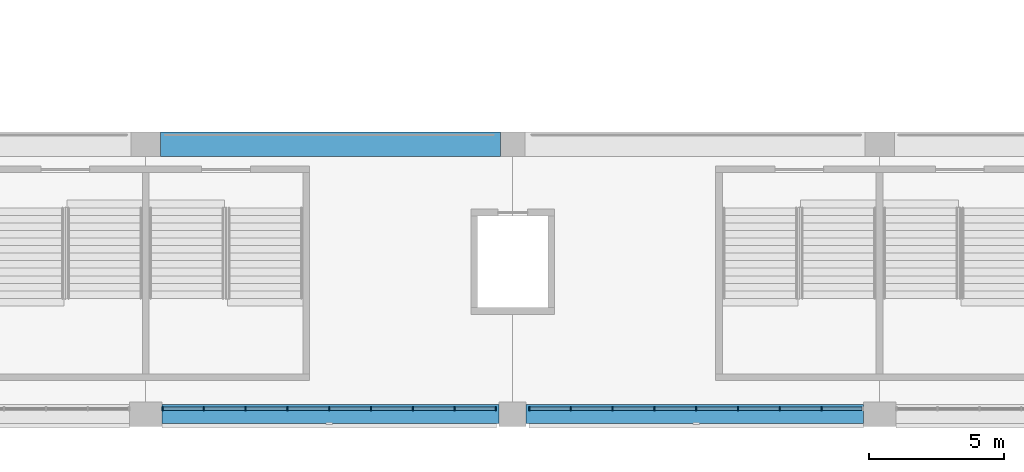
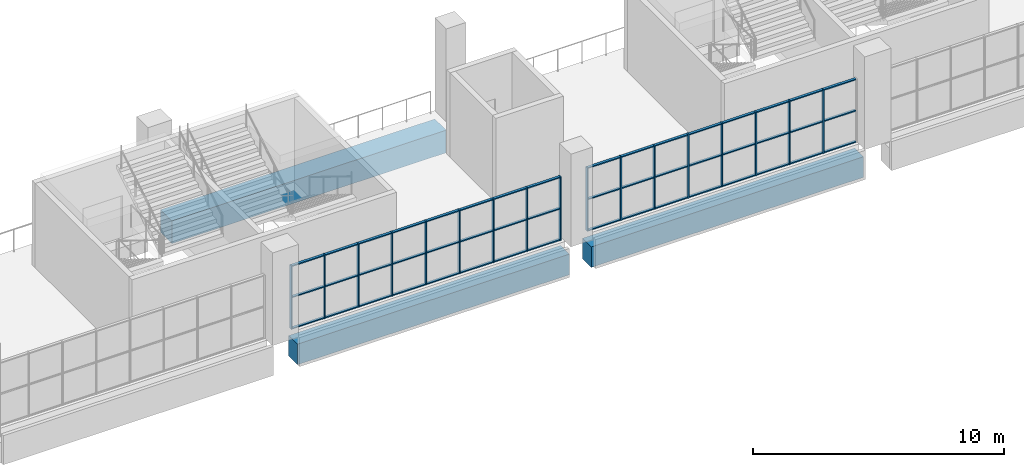
# One storey, part 9 of 177: 65 members, 3 beams, 2 elements without a shape of their own.
"""IFC4 building model written with IfcOpenShell, lengths in metres."""

from ifc_helpers import new_model, si_unit, direction, frame, origin, origin_2d, place, context, subcontext, project, spatial, rectangle, extrude, material, material_profile, profile_set, type_object, element, aggregate, save


model = new_model("IFC4")

# Units and contexts
model_context = context("Model", 3, precision=1e-05, world=origin(), true_north=direction((0.0, 1.0)))
body_context = subcontext(model_context, "Body", "Model", "MODEL_VIEW")
ifc_project = project(units=[si_unit("LENGTHUNIT", "METRE"), si_unit("AREAUNIT", "SQUARE_METRE"), si_unit("VOLUMEUNIT", "CUBIC_METRE"), si_unit("PLANEANGLEUNIT", "RADIAN"), si_unit("MASSUNIT", "GRAM", prefix="KILO")], contexts=[model_context])

# Site, building, storey
site_placement = place(None, origin())
site = spatial("IfcSite", under=ifc_project, at=site_placement, CompositionType="ELEMENT")
building_placement = place(site_placement, origin())
building = spatial("IfcBuilding", under=site, at=building_placement, Name="Ogive Plaza Stadium", CompositionType="ELEMENT")
storey_placement = place(building_placement, frame((0.0, 0.0, 18.0)))
storey = spatial("IfcBuildingStorey", under=building, at=storey_placement, Name="L04", CompositionType="ELEMENT", Elevation=18.0)

# Curtain wall, members
ifc_material_1 = material(Name="Bronze-anodised aluminium with laminated glass", Category="aluminium")
curtain_wall_type = type_object("IfcCurtainWallType", Name="Lancet curtain wall", PredefinedType="NOTDEFINED", material=ifc_material_1)
curtain_wall_1_placement = place(storey_placement, origin())
curtain_wall_1 = element("IfcCurtainWall", 1, at=curtain_wall_1_placement, inside=storey, type_object=curtain_wall_type, Name="CURTAIN WALL B14 L04", PredefinedType="NOTDEFINED")
ifc_material_2 = material(Name="Bronze-anodised aluminium", Category="aluminium")
ifc_material_profile_1 = material_profile(ifc_material_2, rectangle(XDim=0.14990234375, YDim=0.050048828125, at=origin_2d()), Name="AL 150x50")
ifc_profile_set_1 = profile_set([ifc_material_profile_1], Name="Bronze-anodised aluminium")
member_type_1 = type_object("IfcMemberType", Name="Curtain wall mullion 50x150", PredefinedType="MULLION", material=ifc_profile_set_1)
member_1_placement = place(storey_placement, frame((4.64990234375, -102.300048828125, 0.0), z_axis=(0.0, 0.0, 1.0), x_axis=(0.0, -1.0, 0.0)))
member_1 = element("IfcMember", 2, at=member_1_placement, type_object=member_type_1, Name="CW-B14-L04 mullion 2", PredefinedType="MULLION", context=body_context, shape_type="SweptSolid", body=[
    extrude(rectangle(XDim=0.14990234375, YDim=0.050048828125, at=origin_2d()), origin(), (0.0, 0.0, 1.0), 3.090087890625),
])
member_2_placement = place(storey_placement, frame((3.10009765625, -102.300048828125, 0.0), z_axis=(0.0, 0.0, 1.0), x_axis=(0.0, -1.0, 0.0)))
member_2 = element("IfcMember", 3, at=member_2_placement, type_object=member_type_1, Name="CW-B14-L04 mullion 3", PredefinedType="MULLION", context=body_context, shape_type="SweptSolid", body=[
    extrude(rectangle(XDim=0.14990234375, YDim=0.050048828125, at=origin_2d()), origin(), (0.0, 0.0, 1.0), 3.090087890625),
])
member_3_placement = place(storey_placement, frame((1.550048828125, -102.300048828125, 0.0), z_axis=(0.0, 0.0, 1.0), x_axis=(0.0, -1.0, 0.0)))
member_3 = element("IfcMember", 4, at=member_3_placement, type_object=member_type_1, Name="CW-B14-L04 mullion 4", PredefinedType="MULLION", context=body_context, shape_type="SweptSolid", body=[
    extrude(rectangle(XDim=0.14990234375, YDim=0.050048828125, at=origin_2d()), origin(), (0.0, 0.0, 1.0), 3.090087890625),
])
member_4_placement = place(storey_placement, frame((0.0, -102.300048828125, 0.0), z_axis=(0.0, 0.0, 1.0), x_axis=(0.0, -1.0, 0.0)))
member_4 = element("IfcMember", 5, at=member_4_placement, type_object=member_type_1, Name="CW-B14-L04 mullion 5", PredefinedType="MULLION", context=body_context, shape_type="SweptSolid", body=[
    extrude(rectangle(XDim=0.14990234375, YDim=0.050048828125, at=origin_2d()), origin(), (0.0, 0.0, 1.0), 3.090087890625),
])
member_5_placement = place(storey_placement, frame((-1.550048828125, -102.300048828125, 0.0), z_axis=(0.0, 0.0, 1.0), x_axis=(0.0, -1.0, 0.0)))
member_5 = element("IfcMember", 6, at=member_5_placement, type_object=member_type_1, Name="CW-B14-L04 mullion 6", PredefinedType="MULLION", context=body_context, shape_type="SweptSolid", body=[
    extrude(rectangle(XDim=0.14990234375, YDim=0.050048828125, at=origin_2d()), origin(), (0.0, 0.0, 1.0), 3.090087890625),
])
member_6_placement = place(storey_placement, frame((-3.10009765625, -102.300048828125, 0.0), z_axis=(0.0, 0.0, 1.0), x_axis=(0.0, -1.0, 0.0)))
member_6 = element("IfcMember", 7, at=member_6_placement, type_object=member_type_1, Name="CW-B14-L04 mullion 7", PredefinedType="MULLION", context=body_context, shape_type="SweptSolid", body=[
    extrude(rectangle(XDim=0.14990234375, YDim=0.050048828125, at=origin_2d()), origin(), (0.0, 0.0, 1.0), 3.090087890625),
])
member_7_placement = place(storey_placement, frame((-4.64990234375, -102.300048828125, 0.0), z_axis=(0.0, 0.0, 1.0), x_axis=(0.0, -1.0, 0.0)))
member_7 = element("IfcMember", 8, at=member_7_placement, type_object=member_type_1, Name="CW-B14-L04 mullion 8", PredefinedType="MULLION", context=body_context, shape_type="SweptSolid", body=[
    extrude(rectangle(XDim=0.14990234375, YDim=0.050048828125, at=origin_2d()), origin(), (0.0, 0.0, 1.0), 3.090087890625),
])
member_8_placement = place(storey_placement, frame((-6.175048828125, -102.300048828125, 0.0), z_axis=(0.0, 0.0, 1.0), x_axis=(0.0, -1.0, 0.0)))
member_8 = element("IfcMember", 9, at=member_8_placement, type_object=member_type_1, Name="CW-B14-L04 mullion 9", PredefinedType="MULLION", context=body_context, shape_type="SweptSolid", body=[
    extrude(rectangle(XDim=0.14990234375, YDim=0.050048828125, at=origin_2d()), origin(), (0.0, 0.0, 1.0), 3.090087890625),
])

curtain_wall_2_placement = place(storey_placement, origin())
curtain_wall_2 = element("IfcCurtainWall", 10, at=curtain_wall_2_placement, inside=storey, type_object=curtain_wall_type, Name="CURTAIN WALL B15 L04", PredefinedType="NOTDEFINED")
member_9_placement = place(storey_placement, frame((-7.425048828125, -102.300048828125, 0.0), z_axis=(0.0, 0.0, 1.0), x_axis=(0.0, -1.0, 0.0)))
member_9 = element("IfcMember", 11, at=member_9_placement, type_object=member_type_1, Name="CW-B15-L04 mullion 1", PredefinedType="MULLION", context=body_context, shape_type="SweptSolid", body=[
    extrude(rectangle(XDim=0.14990234375, YDim=0.050048828125, at=origin_2d()), origin(), (0.0, 0.0, 1.0), 3.090087890625),
])
member_10_placement = place(storey_placement, frame((-8.949951171875, -102.300048828125, 0.0), z_axis=(0.0, 0.0, 1.0), x_axis=(0.0, -1.0, 0.0)))
member_10 = element("IfcMember", 12, at=member_10_placement, type_object=member_type_1, Name="CW-B15-L04 mullion 2", PredefinedType="MULLION", context=body_context, shape_type="SweptSolid", body=[
    extrude(rectangle(XDim=0.14990234375, YDim=0.050048828125, at=origin_2d()), origin(), (0.0, 0.0, 1.0), 3.090087890625),
])
member_11_placement = place(storey_placement, frame((-10.5, -102.300048828125, 0.0), z_axis=(0.0, 0.0, 1.0), x_axis=(0.0, -1.0, 0.0)))
member_11 = element("IfcMember", 13, at=member_11_placement, type_object=member_type_1, Name="CW-B15-L04 mullion 3", PredefinedType="MULLION", context=body_context, shape_type="SweptSolid", body=[
    extrude(rectangle(XDim=0.14990234375, YDim=0.050048828125, at=origin_2d()), origin(), (0.0, 0.0, 1.0), 3.090087890625),
])
member_12_placement = place(storey_placement, frame((-12.050048828125, -102.300048828125, 0.0), z_axis=(0.0, 0.0, 1.0), x_axis=(0.0, -1.0, 0.0)))
member_12 = element("IfcMember", 14, at=member_12_placement, type_object=member_type_1, Name="CW-B15-L04 mullion 4", PredefinedType="MULLION", context=body_context, shape_type="SweptSolid", body=[
    extrude(rectangle(XDim=0.14990234375, YDim=0.050048828125, at=origin_2d()), origin(), (0.0, 0.0, 1.0), 3.090087890625),
])
member_13_placement = place(storey_placement, frame((-13.60009765625, -102.300048828125, 0.0), z_axis=(0.0, 0.0, 1.0), x_axis=(0.0, -1.0, 0.0)))
member_13 = element("IfcMember", 15, at=member_13_placement, type_object=member_type_1, Name="CW-B15-L04 mullion 5", PredefinedType="MULLION", context=body_context, shape_type="SweptSolid", body=[
    extrude(rectangle(XDim=0.14990234375, YDim=0.050048828125, at=origin_2d()), origin(), (0.0, 0.0, 1.0), 3.090087890625),
])
member_14_placement = place(storey_placement, frame((-15.14990234375, -102.300048828125, 0.0), z_axis=(0.0, 0.0, 1.0), x_axis=(0.0, -1.0, 0.0)))
member_14 = element("IfcMember", 16, at=member_14_placement, type_object=member_type_1, Name="CW-B15-L04 mullion 6", PredefinedType="MULLION", context=body_context, shape_type="SweptSolid", body=[
    extrude(rectangle(XDim=0.14990234375, YDim=0.050048828125, at=origin_2d()), origin(), (0.0, 0.0, 1.0), 3.090087890625),
])
member_15_placement = place(storey_placement, frame((-16.699951171875, -102.300048828125, 0.0), z_axis=(0.0, 0.0, 1.0), x_axis=(0.0, -1.0, 0.0)))
member_15 = element("IfcMember", 17, at=member_15_placement, type_object=member_type_1, Name="CW-B15-L04 mullion 7", PredefinedType="MULLION", context=body_context, shape_type="SweptSolid", body=[
    extrude(rectangle(XDim=0.14990234375, YDim=0.050048828125, at=origin_2d()), origin(), (0.0, 0.0, 1.0), 3.090087890625),
])
member_16_placement = place(storey_placement, frame((-18.25, -102.300048828125, 0.0), z_axis=(0.0, 0.0, 1.0), x_axis=(0.0, -1.0, 0.0)))
member_16 = element("IfcMember", 18, at=member_16_placement, type_object=member_type_1, Name="CW-B15-L04 mullion 8", PredefinedType="MULLION", context=body_context, shape_type="SweptSolid", body=[
    extrude(rectangle(XDim=0.14990234375, YDim=0.050048828125, at=origin_2d()), origin(), (0.0, 0.0, 1.0), 3.090087890625),
])
member_17_placement = place(storey_placement, frame((-19.77490234375, -102.300048828125, 0.0), z_axis=(0.0, 0.0, 1.0), x_axis=(0.0, -1.0, 0.0)))
member_17 = element("IfcMember", 19, at=member_17_placement, type_object=member_type_1, Name="CW-B15-L04 mullion 9", PredefinedType="MULLION", context=body_context, shape_type="SweptSolid", body=[
    extrude(rectangle(XDim=0.14990234375, YDim=0.050048828125, at=origin_2d()), origin(), (0.0, 0.0, 1.0), 3.090087890625),
])

# Member
ifc_material_3 = material(Name="Bronze-anodised aluminium", Category="aluminium")
ifc_material_profile_2 = material_profile(ifc_material_3, rectangle(XDim=0.1201171875, YDim=0.050048828125, at=origin_2d()), Name="AL 120x50")
ifc_profile_set_2 = profile_set([ifc_material_profile_2], Name="Bronze-anodised aluminium")
member_type_2 = type_object("IfcMemberType", Name="Curtain wall transom 50x120", PredefinedType="USERDEFINED", material=ifc_profile_set_2)
member_18_placement = place(storey_placement, frame((6.14990234375, -102.300048828125, 0.02490234375), z_axis=(-1.0, 0.0, 0.0), x_axis=(0.0, -1.0, 0.0)))
member_18 = element("IfcMember", 20, at=member_18_placement, type_object=member_type_2, Name="CW-B14-L04 transom 1.1", ObjectType="TRANSOM", PredefinedType="USERDEFINED", context=body_context, shape_type="SweptSolid", body=[
    extrude(rectangle(XDim=0.1201171875, YDim=0.050048828125, at=origin_2d()), origin(), (0.0, 0.0, 1.0), 1.474853515625),
])

member_19_placement = place(storey_placement, frame((6.14990234375, -102.300048828125, 1.544921875), z_axis=(-1.0, 0.0, 0.0), x_axis=(0.0, -1.0, 0.0)))
member_19 = element("IfcMember", 21, at=member_19_placement, type_object=member_type_2, Name="CW-B14-L04 transom 1.2", ObjectType="TRANSOM", PredefinedType="USERDEFINED", context=body_context, shape_type="SweptSolid", body=[
    extrude(rectangle(XDim=0.1201171875, YDim=0.050048828125, at=origin_2d()), origin(), (0.0, 0.0, 1.0), 1.474853515625),
])

member_20_placement = place(storey_placement, frame((6.14990234375, -102.300048828125, 3.06494140625), z_axis=(-1.0, 0.0, 0.0), x_axis=(0.0, -1.0, 0.0)))
member_20 = element("IfcMember", 22, at=member_20_placement, type_object=member_type_2, Name="CW-B14-L04 transom 1.3", ObjectType="TRANSOM", PredefinedType="USERDEFINED", context=body_context, shape_type="SweptSolid", body=[
    extrude(rectangle(XDim=0.1201171875, YDim=0.050048828125, at=origin_2d()), origin(), (0.0, 0.0, 1.0), 1.474853515625),
])

member_21_placement = place(storey_placement, frame((4.625, -102.300048828125, 0.02490234375), z_axis=(-1.0, 0.0, 0.0), x_axis=(0.0, -1.0, 0.0)))
member_21 = element("IfcMember", 23, at=member_21_placement, type_object=member_type_2, Name="CW-B14-L04 transom 2.1", ObjectType="TRANSOM", PredefinedType="USERDEFINED", context=body_context, shape_type="SweptSolid", body=[
    extrude(rectangle(XDim=0.1201171875, YDim=0.050048828125, at=origin_2d()), origin(), (0.0, 0.0, 1.0), 1.5),
])

member_22_placement = place(storey_placement, frame((4.625, -102.300048828125, 1.544921875), z_axis=(-1.0, 0.0, 0.0), x_axis=(0.0, -1.0, 0.0)))
member_22 = element("IfcMember", 24, at=member_22_placement, type_object=member_type_2, Name="CW-B14-L04 transom 2.2", ObjectType="TRANSOM", PredefinedType="USERDEFINED", context=body_context, shape_type="SweptSolid", body=[
    extrude(rectangle(XDim=0.1201171875, YDim=0.050048828125, at=origin_2d()), origin(), (0.0, 0.0, 1.0), 1.5),
])

member_23_placement = place(storey_placement, frame((4.625, -102.300048828125, 3.06494140625), z_axis=(-1.0, 0.0, 0.0), x_axis=(0.0, -1.0, 0.0)))
member_23 = element("IfcMember", 25, at=member_23_placement, type_object=member_type_2, Name="CW-B14-L04 transom 2.3", ObjectType="TRANSOM", PredefinedType="USERDEFINED", context=body_context, shape_type="SweptSolid", body=[
    extrude(rectangle(XDim=0.1201171875, YDim=0.050048828125, at=origin_2d()), origin(), (0.0, 0.0, 1.0), 1.5),
])

member_24_placement = place(storey_placement, frame((3.074951171875, -102.300048828125, 0.02490234375), z_axis=(-1.0, 0.0, 0.0), x_axis=(0.0, -1.0, 0.0)))
member_24 = element("IfcMember", 26, at=member_24_placement, type_object=member_type_2, Name="CW-B14-L04 transom 3.1", ObjectType="TRANSOM", PredefinedType="USERDEFINED", context=body_context, shape_type="SweptSolid", body=[
    extrude(rectangle(XDim=0.1201171875, YDim=0.050048828125, at=origin_2d()), origin(), (0.0, 0.0, 1.0), 1.5),
])

member_25_placement = place(storey_placement, frame((3.074951171875, -102.300048828125, 1.544921875), z_axis=(-1.0, 0.0, 0.0), x_axis=(0.0, -1.0, 0.0)))
member_25 = element("IfcMember", 27, at=member_25_placement, type_object=member_type_2, Name="CW-B14-L04 transom 3.2", ObjectType="TRANSOM", PredefinedType="USERDEFINED", context=body_context, shape_type="SweptSolid", body=[
    extrude(rectangle(XDim=0.1201171875, YDim=0.050048828125, at=origin_2d()), origin(), (0.0, 0.0, 1.0), 1.5),
])

member_26_placement = place(storey_placement, frame((3.074951171875, -102.300048828125, 3.06494140625), z_axis=(-1.0, 0.0, 0.0), x_axis=(0.0, -1.0, 0.0)))
member_26 = element("IfcMember", 28, at=member_26_placement, type_object=member_type_2, Name="CW-B14-L04 transom 3.3", ObjectType="TRANSOM", PredefinedType="USERDEFINED", context=body_context, shape_type="SweptSolid", body=[
    extrude(rectangle(XDim=0.1201171875, YDim=0.050048828125, at=origin_2d()), origin(), (0.0, 0.0, 1.0), 1.5),
])

member_27_placement = place(storey_placement, frame((1.52490234375, -102.300048828125, 0.02490234375), z_axis=(-1.0, 0.0, 0.0), x_axis=(0.0, -1.0, 0.0)))
member_27 = element("IfcMember", 29, at=member_27_placement, type_object=member_type_2, Name="CW-B14-L04 transom 4.1", ObjectType="TRANSOM", PredefinedType="USERDEFINED", context=body_context, shape_type="SweptSolid", body=[
    extrude(rectangle(XDim=0.1201171875, YDim=0.050048828125, at=origin_2d()), origin(), (0.0, 0.0, 1.0), 1.5),
])

member_28_placement = place(storey_placement, frame((1.52490234375, -102.300048828125, 1.544921875), z_axis=(-1.0, 0.0, 0.0), x_axis=(0.0, -1.0, 0.0)))
member_28 = element("IfcMember", 30, at=member_28_placement, type_object=member_type_2, Name="CW-B14-L04 transom 4.2", ObjectType="TRANSOM", PredefinedType="USERDEFINED", context=body_context, shape_type="SweptSolid", body=[
    extrude(rectangle(XDim=0.1201171875, YDim=0.050048828125, at=origin_2d()), origin(), (0.0, 0.0, 1.0), 1.5),
])

member_29_placement = place(storey_placement, frame((1.52490234375, -102.300048828125, 3.06494140625), z_axis=(-1.0, 0.0, 0.0), x_axis=(0.0, -1.0, 0.0)))
member_29 = element("IfcMember", 31, at=member_29_placement, type_object=member_type_2, Name="CW-B14-L04 transom 4.3", ObjectType="TRANSOM", PredefinedType="USERDEFINED", context=body_context, shape_type="SweptSolid", body=[
    extrude(rectangle(XDim=0.1201171875, YDim=0.050048828125, at=origin_2d()), origin(), (0.0, 0.0, 1.0), 1.5),
])

member_30_placement = place(storey_placement, frame((-0.02490234375, -102.300048828125, 0.02490234375), z_axis=(-1.0, 0.0, 0.0), x_axis=(0.0, -1.0, 0.0)))
member_30 = element("IfcMember", 32, at=member_30_placement, type_object=member_type_2, Name="CW-B14-L04 transom 5.1", ObjectType="TRANSOM", PredefinedType="USERDEFINED", context=body_context, shape_type="SweptSolid", body=[
    extrude(rectangle(XDim=0.1201171875, YDim=0.050048828125, at=origin_2d()), origin(), (0.0, 0.0, 1.0), 1.5),
])

member_31_placement = place(storey_placement, frame((-0.02490234375, -102.300048828125, 1.544921875), z_axis=(-1.0, 0.0, 0.0), x_axis=(0.0, -1.0, 0.0)))
member_31 = element("IfcMember", 33, at=member_31_placement, type_object=member_type_2, Name="CW-B14-L04 transom 5.2", ObjectType="TRANSOM", PredefinedType="USERDEFINED", context=body_context, shape_type="SweptSolid", body=[
    extrude(rectangle(XDim=0.1201171875, YDim=0.050048828125, at=origin_2d()), origin(), (0.0, 0.0, 1.0), 1.5),
])

member_32_placement = place(storey_placement, frame((-0.02490234375, -102.300048828125, 3.06494140625), z_axis=(-1.0, 0.0, 0.0), x_axis=(0.0, -1.0, 0.0)))
member_32 = element("IfcMember", 34, at=member_32_placement, type_object=member_type_2, Name="CW-B14-L04 transom 5.3", ObjectType="TRANSOM", PredefinedType="USERDEFINED", context=body_context, shape_type="SweptSolid", body=[
    extrude(rectangle(XDim=0.1201171875, YDim=0.050048828125, at=origin_2d()), origin(), (0.0, 0.0, 1.0), 1.5),
])

member_33_placement = place(storey_placement, frame((-1.574951171875, -102.300048828125, 0.02490234375), z_axis=(-1.0, 0.0, 0.0), x_axis=(0.0, -1.0, 0.0)))
member_33 = element("IfcMember", 35, at=member_33_placement, type_object=member_type_2, Name="CW-B14-L04 transom 6.1", ObjectType="TRANSOM", PredefinedType="USERDEFINED", context=body_context, shape_type="SweptSolid", body=[
    extrude(rectangle(XDim=0.1201171875, YDim=0.050048828125, at=origin_2d()), origin(), (0.0, 0.0, 1.0), 1.5),
])

member_34_placement = place(storey_placement, frame((-1.574951171875, -102.300048828125, 1.544921875), z_axis=(-1.0, 0.0, 0.0), x_axis=(0.0, -1.0, 0.0)))
member_34 = element("IfcMember", 36, at=member_34_placement, type_object=member_type_2, Name="CW-B14-L04 transom 6.2", ObjectType="TRANSOM", PredefinedType="USERDEFINED", context=body_context, shape_type="SweptSolid", body=[
    extrude(rectangle(XDim=0.1201171875, YDim=0.050048828125, at=origin_2d()), origin(), (0.0, 0.0, 1.0), 1.5),
])

member_35_placement = place(storey_placement, frame((-1.574951171875, -102.300048828125, 3.06494140625), z_axis=(-1.0, 0.0, 0.0), x_axis=(0.0, -1.0, 0.0)))
member_35 = element("IfcMember", 37, at=member_35_placement, type_object=member_type_2, Name="CW-B14-L04 transom 6.3", ObjectType="TRANSOM", PredefinedType="USERDEFINED", context=body_context, shape_type="SweptSolid", body=[
    extrude(rectangle(XDim=0.1201171875, YDim=0.050048828125, at=origin_2d()), origin(), (0.0, 0.0, 1.0), 1.5),
])

member_36_placement = place(storey_placement, frame((-3.125, -102.300048828125, 0.02490234375), z_axis=(-1.0, 0.0, 0.0), x_axis=(0.0, -1.0, 0.0)))
member_36 = element("IfcMember", 38, at=member_36_placement, type_object=member_type_2, Name="CW-B14-L04 transom 7.1", ObjectType="TRANSOM", PredefinedType="USERDEFINED", context=body_context, shape_type="SweptSolid", body=[
    extrude(rectangle(XDim=0.1201171875, YDim=0.050048828125, at=origin_2d()), origin(), (0.0, 0.0, 1.0), 1.5),
])

member_37_placement = place(storey_placement, frame((-3.125, -102.300048828125, 1.544921875), z_axis=(-1.0, 0.0, 0.0), x_axis=(0.0, -1.0, 0.0)))
member_37 = element("IfcMember", 39, at=member_37_placement, type_object=member_type_2, Name="CW-B14-L04 transom 7.2", ObjectType="TRANSOM", PredefinedType="USERDEFINED", context=body_context, shape_type="SweptSolid", body=[
    extrude(rectangle(XDim=0.1201171875, YDim=0.050048828125, at=origin_2d()), origin(), (0.0, 0.0, 1.0), 1.5),
])

member_38_placement = place(storey_placement, frame((-3.125, -102.300048828125, 3.06494140625), z_axis=(-1.0, 0.0, 0.0), x_axis=(0.0, -1.0, 0.0)))
member_38 = element("IfcMember", 40, at=member_38_placement, type_object=member_type_2, Name="CW-B14-L04 transom 7.3", ObjectType="TRANSOM", PredefinedType="USERDEFINED", context=body_context, shape_type="SweptSolid", body=[
    extrude(rectangle(XDim=0.1201171875, YDim=0.050048828125, at=origin_2d()), origin(), (0.0, 0.0, 1.0), 1.5),
])

member_39_placement = place(storey_placement, frame((-4.675048828125, -102.300048828125, 0.02490234375), z_axis=(-1.0, 0.0, 0.0), x_axis=(0.0, -1.0, 0.0)))
member_39 = element("IfcMember", 41, at=member_39_placement, type_object=member_type_2, Name="CW-B14-L04 transom 8.1", ObjectType="TRANSOM", PredefinedType="USERDEFINED", context=body_context, shape_type="SweptSolid", body=[
    extrude(rectangle(XDim=0.1201171875, YDim=0.050048828125, at=origin_2d()), origin(), (0.0, 0.0, 1.0), 1.474853515625),
])

member_40_placement = place(storey_placement, frame((-4.675048828125, -102.300048828125, 1.544921875), z_axis=(-1.0, 0.0, 0.0), x_axis=(0.0, -1.0, 0.0)))
member_40 = element("IfcMember", 42, at=member_40_placement, type_object=member_type_2, Name="CW-B14-L04 transom 8.2", ObjectType="TRANSOM", PredefinedType="USERDEFINED", context=body_context, shape_type="SweptSolid", body=[
    extrude(rectangle(XDim=0.1201171875, YDim=0.050048828125, at=origin_2d()), origin(), (0.0, 0.0, 1.0), 1.474853515625),
])

member_41_placement = place(storey_placement, frame((-4.675048828125, -102.300048828125, 3.06494140625), z_axis=(-1.0, 0.0, 0.0), x_axis=(0.0, -1.0, 0.0)))
member_41 = element("IfcMember", 43, at=member_41_placement, type_object=member_type_2, Name="CW-B14-L04 transom 8.3", ObjectType="TRANSOM", PredefinedType="USERDEFINED", context=body_context, shape_type="SweptSolid", body=[
    extrude(rectangle(XDim=0.1201171875, YDim=0.050048828125, at=origin_2d()), origin(), (0.0, 0.0, 1.0), 1.474853515625),
])

aggregate(curtain_wall_1, [member_1, member_2, member_3, member_4, member_5, member_6, member_7, member_8, member_18, member_19, member_20, member_21, member_22, member_23, member_24, member_25, member_26, member_27, member_28, member_29, member_30, member_31, member_32, member_33, member_34, member_35, member_36, member_37, member_38, member_39, member_40, member_41])

member_42_placement = place(storey_placement, frame((-7.449951171875, -102.300048828125, 0.02490234375), z_axis=(-1.0, 0.0, 0.0), x_axis=(0.0, -1.0, 0.0)))
member_42 = element("IfcMember", 44, at=member_42_placement, type_object=member_type_2, Name="CW-B15-L04 transom 1.1", ObjectType="TRANSOM", PredefinedType="USERDEFINED", context=body_context, shape_type="SweptSolid", body=[
    extrude(rectangle(XDim=0.1201171875, YDim=0.050048828125, at=origin_2d()), origin(), (0.0, 0.0, 1.0), 1.47509765625),
])

member_43_placement = place(storey_placement, frame((-7.449951171875, -102.300048828125, 1.544921875), z_axis=(-1.0, 0.0, 0.0), x_axis=(0.0, -1.0, 0.0)))
member_43 = element("IfcMember", 45, at=member_43_placement, type_object=member_type_2, Name="CW-B15-L04 transom 1.2", ObjectType="TRANSOM", PredefinedType="USERDEFINED", context=body_context, shape_type="SweptSolid", body=[
    extrude(rectangle(XDim=0.1201171875, YDim=0.050048828125, at=origin_2d()), origin(), (0.0, 0.0, 1.0), 1.47509765625),
])

member_44_placement = place(storey_placement, frame((-7.449951171875, -102.300048828125, 3.06494140625), z_axis=(-1.0, 0.0, 0.0), x_axis=(0.0, -1.0, 0.0)))
member_44 = element("IfcMember", 46, at=member_44_placement, type_object=member_type_2, Name="CW-B15-L04 transom 1.3", ObjectType="TRANSOM", PredefinedType="USERDEFINED", context=body_context, shape_type="SweptSolid", body=[
    extrude(rectangle(XDim=0.1201171875, YDim=0.050048828125, at=origin_2d()), origin(), (0.0, 0.0, 1.0), 1.47509765625),
])

member_45_placement = place(storey_placement, frame((-8.97509765625, -102.300048828125, 0.02490234375), z_axis=(-1.0, 0.0, 0.0), x_axis=(0.0, -1.0, 0.0)))
member_45 = element("IfcMember", 47, at=member_45_placement, type_object=member_type_2, Name="CW-B15-L04 transom 2.1", ObjectType="TRANSOM", PredefinedType="USERDEFINED", context=body_context, shape_type="SweptSolid", body=[
    extrude(rectangle(XDim=0.1201171875, YDim=0.050048828125, at=origin_2d()), origin(), (0.0, 0.0, 1.0), 1.5),
])

member_46_placement = place(storey_placement, frame((-8.97509765625, -102.300048828125, 1.544921875), z_axis=(-1.0, 0.0, 0.0), x_axis=(0.0, -1.0, 0.0)))
member_46 = element("IfcMember", 48, at=member_46_placement, type_object=member_type_2, Name="CW-B15-L04 transom 2.2", ObjectType="TRANSOM", PredefinedType="USERDEFINED", context=body_context, shape_type="SweptSolid", body=[
    extrude(rectangle(XDim=0.1201171875, YDim=0.050048828125, at=origin_2d()), origin(), (0.0, 0.0, 1.0), 1.5),
])

member_47_placement = place(storey_placement, frame((-8.97509765625, -102.300048828125, 3.06494140625), z_axis=(-1.0, 0.0, 0.0), x_axis=(0.0, -1.0, 0.0)))
member_47 = element("IfcMember", 49, at=member_47_placement, type_object=member_type_2, Name="CW-B15-L04 transom 2.3", ObjectType="TRANSOM", PredefinedType="USERDEFINED", context=body_context, shape_type="SweptSolid", body=[
    extrude(rectangle(XDim=0.1201171875, YDim=0.050048828125, at=origin_2d()), origin(), (0.0, 0.0, 1.0), 1.5),
])

member_48_placement = place(storey_placement, frame((-10.52490234375, -102.300048828125, 0.02490234375), z_axis=(-1.0, 0.0, 0.0), x_axis=(0.0, -1.0, 0.0)))
member_48 = element("IfcMember", 50, at=member_48_placement, type_object=member_type_2, Name="CW-B15-L04 transom 3.1", ObjectType="TRANSOM", PredefinedType="USERDEFINED", context=body_context, shape_type="SweptSolid", body=[
    extrude(rectangle(XDim=0.1201171875, YDim=0.050048828125, at=origin_2d()), origin(), (0.0, 0.0, 1.0), 1.5),
])

member_49_placement = place(storey_placement, frame((-10.52490234375, -102.300048828125, 1.544921875), z_axis=(-1.0, 0.0, 0.0), x_axis=(0.0, -1.0, 0.0)))
member_49 = element("IfcMember", 51, at=member_49_placement, type_object=member_type_2, Name="CW-B15-L04 transom 3.2", ObjectType="TRANSOM", PredefinedType="USERDEFINED", context=body_context, shape_type="SweptSolid", body=[
    extrude(rectangle(XDim=0.1201171875, YDim=0.050048828125, at=origin_2d()), origin(), (0.0, 0.0, 1.0), 1.5),
])

member_50_placement = place(storey_placement, frame((-10.52490234375, -102.300048828125, 3.06494140625), z_axis=(-1.0, 0.0, 0.0), x_axis=(0.0, -1.0, 0.0)))
member_50 = element("IfcMember", 52, at=member_50_placement, type_object=member_type_2, Name="CW-B15-L04 transom 3.3", ObjectType="TRANSOM", PredefinedType="USERDEFINED", context=body_context, shape_type="SweptSolid", body=[
    extrude(rectangle(XDim=0.1201171875, YDim=0.050048828125, at=origin_2d()), origin(), (0.0, 0.0, 1.0), 1.5),
])

member_51_placement = place(storey_placement, frame((-12.074951171875, -102.300048828125, 0.02490234375), z_axis=(-1.0, 0.0, 0.0), x_axis=(0.0, -1.0, 0.0)))
member_51 = element("IfcMember", 53, at=member_51_placement, type_object=member_type_2, Name="CW-B15-L04 transom 4.1", ObjectType="TRANSOM", PredefinedType="USERDEFINED", context=body_context, shape_type="SweptSolid", body=[
    extrude(rectangle(XDim=0.1201171875, YDim=0.050048828125, at=origin_2d()), origin(), (0.0, 0.0, 1.0), 1.5),
])

member_52_placement = place(storey_placement, frame((-12.074951171875, -102.300048828125, 1.544921875), z_axis=(-1.0, 0.0, 0.0), x_axis=(0.0, -1.0, 0.0)))
member_52 = element("IfcMember", 54, at=member_52_placement, type_object=member_type_2, Name="CW-B15-L04 transom 4.2", ObjectType="TRANSOM", PredefinedType="USERDEFINED", context=body_context, shape_type="SweptSolid", body=[
    extrude(rectangle(XDim=0.1201171875, YDim=0.050048828125, at=origin_2d()), origin(), (0.0, 0.0, 1.0), 1.5),
])

member_53_placement = place(storey_placement, frame((-12.074951171875, -102.300048828125, 3.06494140625), z_axis=(-1.0, 0.0, 0.0), x_axis=(0.0, -1.0, 0.0)))
member_53 = element("IfcMember", 55, at=member_53_placement, type_object=member_type_2, Name="CW-B15-L04 transom 4.3", ObjectType="TRANSOM", PredefinedType="USERDEFINED", context=body_context, shape_type="SweptSolid", body=[
    extrude(rectangle(XDim=0.1201171875, YDim=0.050048828125, at=origin_2d()), origin(), (0.0, 0.0, 1.0), 1.5),
])

member_54_placement = place(storey_placement, frame((-13.625, -102.300048828125, 0.02490234375), z_axis=(-1.0, 0.0, 0.0), x_axis=(0.0, -1.0, 0.0)))
member_54 = element("IfcMember", 56, at=member_54_placement, type_object=member_type_2, Name="CW-B15-L04 transom 5.1", ObjectType="TRANSOM", PredefinedType="USERDEFINED", context=body_context, shape_type="SweptSolid", body=[
    extrude(rectangle(XDim=0.1201171875, YDim=0.050048828125, at=origin_2d()), origin(), (0.0, 0.0, 1.0), 1.5),
])

member_55_placement = place(storey_placement, frame((-13.625, -102.300048828125, 1.544921875), z_axis=(-1.0, 0.0, 0.0), x_axis=(0.0, -1.0, 0.0)))
member_55 = element("IfcMember", 57, at=member_55_placement, type_object=member_type_2, Name="CW-B15-L04 transom 5.2", ObjectType="TRANSOM", PredefinedType="USERDEFINED", context=body_context, shape_type="SweptSolid", body=[
    extrude(rectangle(XDim=0.1201171875, YDim=0.050048828125, at=origin_2d()), origin(), (0.0, 0.0, 1.0), 1.5),
])

member_56_placement = place(storey_placement, frame((-13.625, -102.300048828125, 3.06494140625), z_axis=(-1.0, 0.0, 0.0), x_axis=(0.0, -1.0, 0.0)))
member_56 = element("IfcMember", 58, at=member_56_placement, type_object=member_type_2, Name="CW-B15-L04 transom 5.3", ObjectType="TRANSOM", PredefinedType="USERDEFINED", context=body_context, shape_type="SweptSolid", body=[
    extrude(rectangle(XDim=0.1201171875, YDim=0.050048828125, at=origin_2d()), origin(), (0.0, 0.0, 1.0), 1.5),
])

member_57_placement = place(storey_placement, frame((-15.175048828125, -102.300048828125, 0.02490234375), z_axis=(-1.0, 0.0, 0.0), x_axis=(0.0, -1.0, 0.0)))
member_57 = element("IfcMember", 59, at=member_57_placement, type_object=member_type_2, Name="CW-B15-L04 transom 6.1", ObjectType="TRANSOM", PredefinedType="USERDEFINED", context=body_context, shape_type="SweptSolid", body=[
    extrude(rectangle(XDim=0.1201171875, YDim=0.050048828125, at=origin_2d()), origin(), (0.0, 0.0, 1.0), 1.5),
])

member_58_placement = place(storey_placement, frame((-15.175048828125, -102.300048828125, 1.544921875), z_axis=(-1.0, 0.0, 0.0), x_axis=(0.0, -1.0, 0.0)))
member_58 = element("IfcMember", 60, at=member_58_placement, type_object=member_type_2, Name="CW-B15-L04 transom 6.2", ObjectType="TRANSOM", PredefinedType="USERDEFINED", context=body_context, shape_type="SweptSolid", body=[
    extrude(rectangle(XDim=0.1201171875, YDim=0.050048828125, at=origin_2d()), origin(), (0.0, 0.0, 1.0), 1.5),
])

member_59_placement = place(storey_placement, frame((-15.175048828125, -102.300048828125, 3.06494140625), z_axis=(-1.0, 0.0, 0.0), x_axis=(0.0, -1.0, 0.0)))
member_59 = element("IfcMember", 61, at=member_59_placement, type_object=member_type_2, Name="CW-B15-L04 transom 6.3", ObjectType="TRANSOM", PredefinedType="USERDEFINED", context=body_context, shape_type="SweptSolid", body=[
    extrude(rectangle(XDim=0.1201171875, YDim=0.050048828125, at=origin_2d()), origin(), (0.0, 0.0, 1.0), 1.5),
])

member_60_placement = place(storey_placement, frame((-16.72509765625, -102.300048828125, 0.02490234375), z_axis=(-1.0, 0.0, 0.0), x_axis=(0.0, -1.0, 0.0)))
member_60 = element("IfcMember", 62, at=member_60_placement, type_object=member_type_2, Name="CW-B15-L04 transom 7.1", ObjectType="TRANSOM", PredefinedType="USERDEFINED", context=body_context, shape_type="SweptSolid", body=[
    extrude(rectangle(XDim=0.1201171875, YDim=0.050048828125, at=origin_2d()), origin(), (0.0, 0.0, 1.0), 1.5),
])

member_61_placement = place(storey_placement, frame((-16.72509765625, -102.300048828125, 1.544921875), z_axis=(-1.0, 0.0, 0.0), x_axis=(0.0, -1.0, 0.0)))
member_61 = element("IfcMember", 63, at=member_61_placement, type_object=member_type_2, Name="CW-B15-L04 transom 7.2", ObjectType="TRANSOM", PredefinedType="USERDEFINED", context=body_context, shape_type="SweptSolid", body=[
    extrude(rectangle(XDim=0.1201171875, YDim=0.050048828125, at=origin_2d()), origin(), (0.0, 0.0, 1.0), 1.5),
])

member_62_placement = place(storey_placement, frame((-16.72509765625, -102.300048828125, 3.06494140625), z_axis=(-1.0, 0.0, 0.0), x_axis=(0.0, -1.0, 0.0)))
member_62 = element("IfcMember", 64, at=member_62_placement, type_object=member_type_2, Name="CW-B15-L04 transom 7.3", ObjectType="TRANSOM", PredefinedType="USERDEFINED", context=body_context, shape_type="SweptSolid", body=[
    extrude(rectangle(XDim=0.1201171875, YDim=0.050048828125, at=origin_2d()), origin(), (0.0, 0.0, 1.0), 1.5),
])

member_63_placement = place(storey_placement, frame((-18.27490234375, -102.300048828125, 0.02490234375), z_axis=(-1.0, 0.0, 0.0), x_axis=(0.0, -1.0, 0.0)))
member_63 = element("IfcMember", 65, at=member_63_placement, type_object=member_type_2, Name="CW-B15-L04 transom 8.1", ObjectType="TRANSOM", PredefinedType="USERDEFINED", context=body_context, shape_type="SweptSolid", body=[
    extrude(rectangle(XDim=0.1201171875, YDim=0.050048828125, at=origin_2d()), origin(), (0.0, 0.0, 1.0), 1.47509765625),
])

member_64_placement = place(storey_placement, frame((-18.27490234375, -102.300048828125, 1.544921875), z_axis=(-1.0, 0.0, 0.0), x_axis=(0.0, -1.0, 0.0)))
member_64 = element("IfcMember", 66, at=member_64_placement, type_object=member_type_2, Name="CW-B15-L04 transom 8.2", ObjectType="TRANSOM", PredefinedType="USERDEFINED", context=body_context, shape_type="SweptSolid", body=[
    extrude(rectangle(XDim=0.1201171875, YDim=0.050048828125, at=origin_2d()), origin(), (0.0, 0.0, 1.0), 1.47509765625),
])

member_65_placement = place(storey_placement, frame((-18.27490234375, -102.300048828125, 3.06494140625), z_axis=(-1.0, 0.0, 0.0), x_axis=(0.0, -1.0, 0.0)))
member_65 = element("IfcMember", 67, at=member_65_placement, type_object=member_type_2, Name="CW-B15-L04 transom 8.3", ObjectType="TRANSOM", PredefinedType="USERDEFINED", context=body_context, shape_type="SweptSolid", body=[
    extrude(rectangle(XDim=0.1201171875, YDim=0.050048828125, at=origin_2d()), origin(), (0.0, 0.0, 1.0), 1.47509765625),
])

aggregate(curtain_wall_2, [member_9, member_10, member_11, member_12, member_13, member_14, member_15, member_16, member_17, member_42, member_43, member_44, member_45, member_46, member_47, member_48, member_49, member_50, member_51, member_52, member_53, member_54, member_55, member_56, member_57, member_58, member_59, member_60, member_61, member_62, member_63, member_64, member_65])

# Beams
ifc_material_4 = material(Name="Concrete C40/50", Category="concrete")
ifc_material_profile_3 = material_profile(ifc_material_4, rectangle(XDim=0.89990234375, YDim=1.10009765625, at=origin_2d()), Name="RC 900x1100")
ifc_profile_set_3 = profile_set([ifc_material_profile_3], Name="Concrete C40/50")
beam_type_1 = type_object("IfcBeamType", Name="RC ring beam 900x1100", PredefinedType="BEAM", material=ifc_profile_set_3)
beam_placement = place(storey_placement, frame((-7.25, -92.5, -0.9599609375), z_axis=(-1.0, 0.0, 0.0), x_axis=(0.0, -1.0, 0.0)))
element("IfcBeam", 68, at=beam_placement, inside=storey, type_object=beam_type_1, Name="Ring beam F4 L04 B15", PredefinedType="BEAM", context=body_context, shape_type="SweptSolid", body=[
    extrude(rectangle(XDim=0.89990234375, YDim=1.10009765625, at=origin_2d()), origin(), (0.0, 0.0, 1.0), 12.60009765625),
])
ifc_material_5 = material(Name="Concrete C40/50", Category="concrete")
ifc_material_profile_4 = material_profile(ifc_material_5, rectangle(XDim=0.699951171875, YDim=1.0, at=origin_2d()), Name="RC 700x1000")
ifc_profile_set_4 = profile_set([ifc_material_profile_4], Name="Concrete C40/50")
beam_type_2 = type_object("IfcBeamType", Name="RC spandrel beam 700x1000", PredefinedType="SPANDREL", material=ifc_profile_set_4)
for number, where, z_axis, x_axis, name in (
    (69, (6.199951171875, -102.5, -0.909912109375), (-1.0, 0.0, 0.0), (0.0, -1.0, 0.0), "Ring beam F5 L04 B14"),
    (70, (-7.300048828125, -102.5, -0.909912109375), (-1.0, 0.0, 0.0), (0.0, -1.0, 0.0), "Ring beam F5 L04 B15"),
):
    element("IfcBeam", number, at=place(storey_placement, frame(where, z_axis=z_axis, x_axis=x_axis)), inside=storey, type_object=beam_type_2, Name=name, PredefinedType="SPANDREL", context=body_context, shape_type="SweptSolid", body=[
        extrude(rectangle(XDim=0.699951171875, YDim=1.0, at=origin_2d()), origin(), (0.0, 0.0, 1.0), 12.5),
    ])

save(model, "model.ifc")
